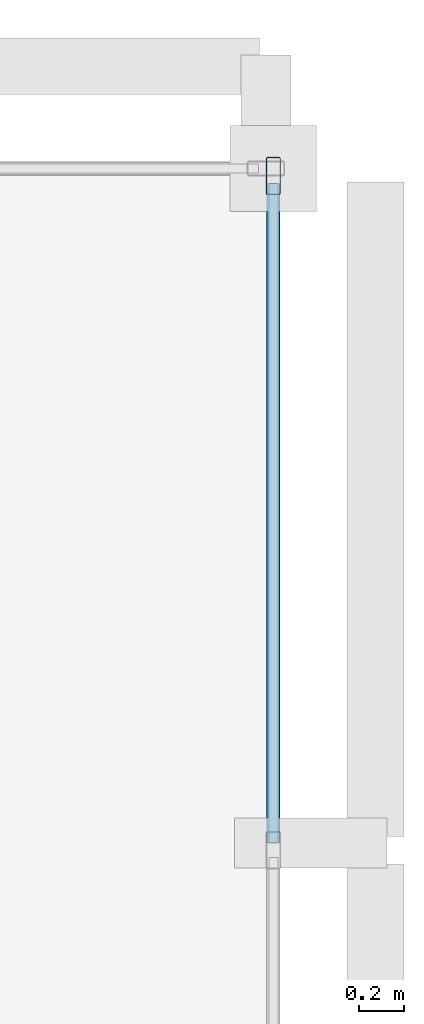
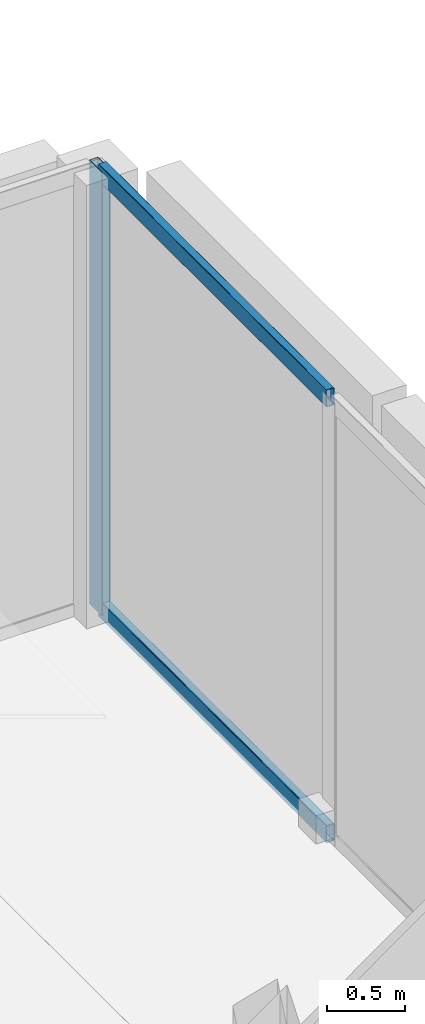
# One storey, part 5 of 13: 3 members, 1 element without a shape of its own.
"""IFC4 building model written with IfcOpenShell, lengths in metres."""

from ifc_helpers import new_model, si_unit, direction, frame, origin, origin_2d, place, context, subcontext, project, spatial, hollow_rectangle, extrude, material, layer, layer_set, material_profile, profile_set, type_object, element, aggregate, save


model = new_model("IFC4")

# Units and contexts
model_context = context("Model", 3, precision=1e-05, world=origin(), true_north=direction((0.0, 1.0)))
body_context = subcontext(model_context, "Body", "Model", "MODEL_VIEW")
ifc_project = project(units=[si_unit("LENGTHUNIT", "METRE"), si_unit("AREAUNIT", "SQUARE_METRE"), si_unit("VOLUMEUNIT", "CUBIC_METRE"), si_unit("PLANEANGLEUNIT", "RADIAN"), si_unit("MASSUNIT", "GRAM", prefix="KILO")], contexts=[model_context])

# Site, building, storey
site_placement = place(None, origin())
site = spatial("IfcSite", under=ifc_project, at=site_placement, CompositionType="ELEMENT")
building_placement = place(site_placement, origin())
building = spatial("IfcBuilding", under=site, at=building_placement, Name="An Khanh Terracotta Commons", CompositionType="ELEMENT")
storey_placement = place(building_placement, frame((0.0, 0.0, 288.0)))
storey = spatial("IfcBuildingStorey", under=building, at=storey_placement, Name="L75", CompositionType="ELEMENT", Elevation=288.0)

# Curtain wall, members
ifc_material = material(Name="Anodised Aluminium 6063-T6", Category="aluminium")
ifc_layer = layer(ifc_material, 0.239990234375, Name="Anodised Aluminium 6063-T6")
ifc_layer_set = layer_set([ifc_layer], Name="Anodised Aluminium 6063-T6")
curtain_wall_type = type_object("IfcCurtainWallType", Name="CW-SYS-04", PredefinedType="USERDEFINED", material=ifc_layer_set)
curtain_wall_placement = place(storey_placement, origin())
curtain_wall = element("IfcCurtainWall", 1, at=curtain_wall_placement, inside=storey, type_object=curtain_wall_type, Name="L75 CW-04 Unitised Curtain Wall CW-L75-EBOX-1", ObjectType="UNITISED CURTAIN WALL", PredefinedType="USERDEFINED")
ifc_material_profile_1 = material_profile(ifc_material, hollow_rectangle(XDim=0.06494140625, YDim=0.1650390625, WallThickness=0.00390625, InnerFilletRadius=0.00390625, OuterFilletRadius=0.008056640625, at=origin_2d()), Name="RHS165x65x4")
ifc_profile_set_1 = profile_set([ifc_material_profile_1], Name="Anodised Aluminium 6063-T6")
member_type_1 = type_object("IfcMemberType", Name="CWM-RHS165x65x4", PredefinedType="MULLION", material=ifc_profile_set_1)
member_1_placement = place(storey_placement, frame((77.75, 25.49755859375, 0.0), z_axis=(0.0, 0.0, 1.0), x_axis=(-1.0, 0.0, 0.0)))
member_1 = element("IfcMember", 2, at=member_1_placement, type_object=member_type_1, Name="CW-04 mullion 3", PredefinedType="MULLION", context=body_context, shape_type="SweptSolid", body=[
    extrude(hollow_rectangle(XDim=0.06494140625, YDim=0.1650390625, WallThickness=0.00390625, InnerFilletRadius=0.00390625, OuterFilletRadius=0.008056640625, at=origin_2d()), origin(), (0.0, 0.0, 1.0), 3.449951171875),
])
ifc_material_profile_2 = material_profile(ifc_material, hollow_rectangle(XDim=0.06005859375, YDim=0.135009765625, WallThickness=0.003662109375, InnerFilletRadius=0.003662109375, OuterFilletRadius=0.007080078125, at=origin_2d()), Name="RHS135x60x3.6")
ifc_profile_set_2 = profile_set([ifc_material_profile_2], Name="Anodised Aluminium 6063-T6")
member_type_2 = type_object("IfcMemberType", Name="CWT-RHS135x60x3.6", PredefinedType="USERDEFINED", material=ifc_profile_set_2)
member_2_placement = place(storey_placement, frame((77.75, 22.5625, 0.030029296875), z_axis=(0.0, 1.0, 0.0), x_axis=(-1.0, 0.0, 0.0)))
member_2 = element("IfcMember", 3, at=member_2_placement, type_object=member_type_2, Name="CW-04 transom 2.1", ObjectType="TRANSOM", PredefinedType="USERDEFINED", context=body_context, shape_type="SweptSolid", body=[
    extrude(hollow_rectangle(XDim=0.06005859375, YDim=0.135009765625, WallThickness=0.003662109375, InnerFilletRadius=0.003662109375, OuterFilletRadius=0.007080078125, at=origin_2d()), origin(), (0.0, 0.0, 1.0), 2.902587890625),
])
member_3_placement = place(storey_placement, frame((77.75, 22.5625, 3.419921875), z_axis=(0.0, 1.0, 0.0), x_axis=(-1.0, 0.0, 0.0)))
member_3 = element("IfcMember", 4, at=member_3_placement, type_object=member_type_2, Name="CW-04 transom 2.2", ObjectType="TRANSOM", PredefinedType="USERDEFINED", context=body_context, shape_type="SweptSolid", body=[
    extrude(hollow_rectangle(XDim=0.06005859375, YDim=0.135009765625, WallThickness=0.003662109375, InnerFilletRadius=0.003662109375, OuterFilletRadius=0.007080078125, at=origin_2d()), origin(), (0.0, 0.0, 1.0), 2.902587890625),
])
aggregate(curtain_wall, [member_1, member_2, member_3])

save(model, "model.ifc")
